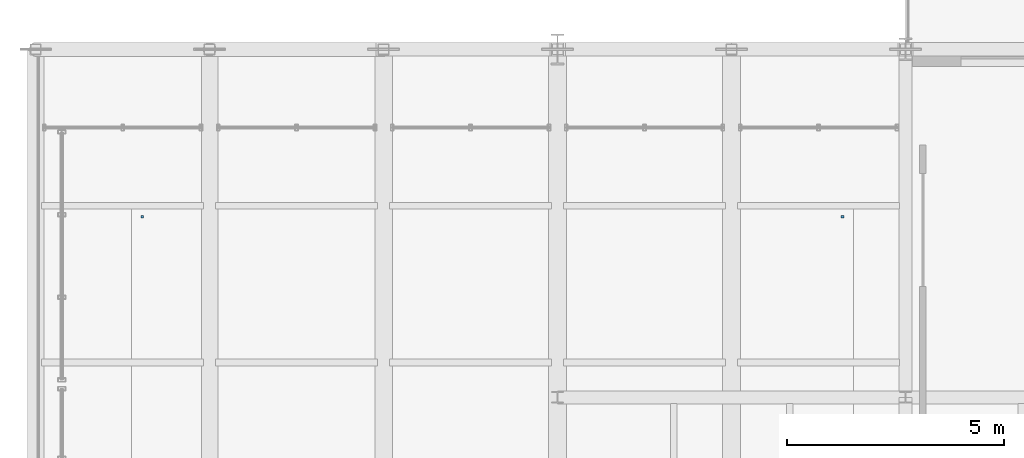
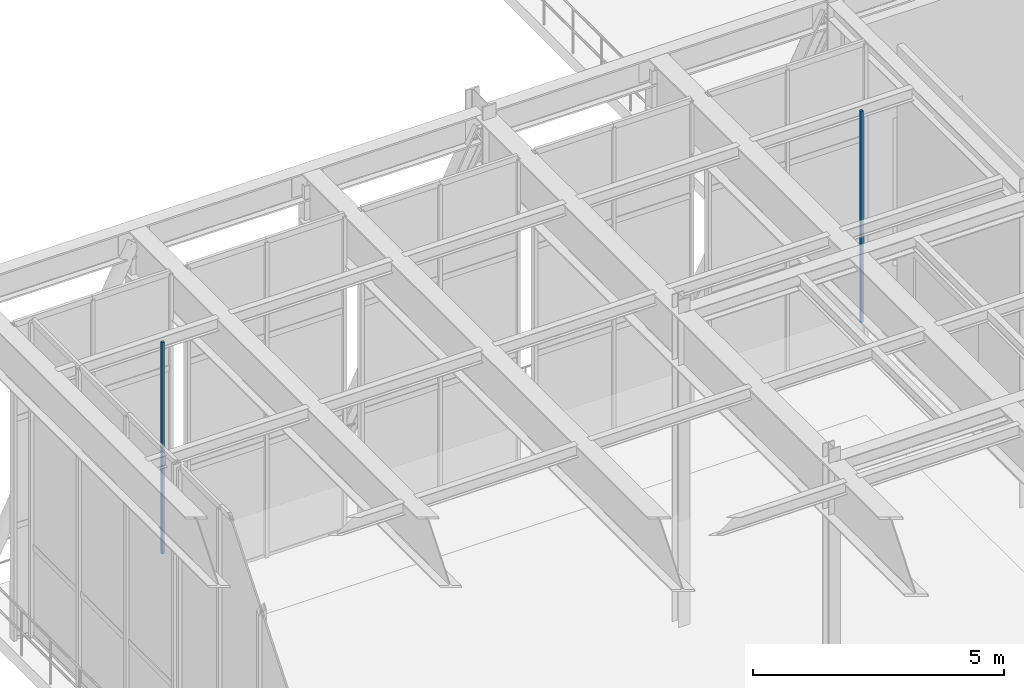
# One storey, part 103 of 138: 2 discrete accessories.
"""IFC4 building model written with IfcOpenShell, lengths in metres."""

import ifcopenshell
import ifcopenshell.guid

model = None  # the IFC model being written
_history = None  # IfcOwnerHistory: only IFC2X3 demands one
_inside = {}  # id of a spatial element -> (the spatial element, [elements in it])
_under = {}  # id of a project, library or spatial element -> (it, [spatial elements below it])
_declared = {}  # id of a project -> (the project, [libraries it declares])
_typed = {}  # id of a type object -> (the type object, [elements of that type])
_made_of = {}  # id of a material, layer set ... -> (it, [elements and type objects made of it])


def new_model(schema):
    """Start an empty IFC model of exactly this schema.

    Asked for "IFC4X3", IfcOpenShell would pick the latest addendum, in which some entities
    have other attributes; the version numbers below select the first issue.
    IFC2X3 requires an IfcOwnerHistory on every rooted entity: one is made here for all.
    """
    global model, _history
    if schema == "IFC4X3":
        model = ifcopenshell.file(schema_version=(4, 3, 0, 0))
    else:
        model = ifcopenshell.file(schema=schema)
    _inside.clear()
    _under.clear()
    _declared.clear()
    _typed.clear()
    _made_of.clear()
    _history = None
    if model.schema == "IFC2X3":
        org = make("IfcOrganization", Name="unknown")
        user = make(
            "IfcPersonAndOrganization",
            ThePerson=make("IfcPerson", FamilyName="unknown"),
            TheOrganization=org,
        )
        app = make(
            "IfcApplication",
            ApplicationDeveloper=org,
            Version="unknown",
            ApplicationFullName="unknown",
            ApplicationIdentifier="unknown",
        )
        _history = make(
            "IfcOwnerHistory",
            OwningUser=user,
            OwningApplication=app,
            ChangeAction="ADDED",
            CreationDate=0,
        )
    return model


def make(cls, **values):
    """One entity of the class cls with the attributes given. An attribute that is None is left unset."""
    return model.create_entity(
        cls, **{name: value for name, value in values.items() if value is not None}
    )


def rooted(cls, **values):
    """An entity with a GlobalId (a new one), such as an element, a storey or a relation."""
    return make(cls, GlobalId=ifcopenshell.guid.new(), OwnerHistory=_history, **values)


def si_unit(unit_type, name, prefix=None):
    """IfcSIUnit, for example si_unit("LENGTHUNIT", "METRE", prefix="MILLI")."""
    return make("IfcSIUnit", UnitType=unit_type, Prefix=prefix, Name=name)


def assignment(units):
    """IfcUnitAssignment: the units of a project."""
    return None if units is None else make("IfcUnitAssignment", Units=units)


def point(xyz):
    """IfcCartesianPoint."""
    return None if xyz is None else make("IfcCartesianPoint", Coordinates=xyz)


def direction(xyz):
    """IfcDirection."""
    return None if xyz is None else make("IfcDirection", DirectionRatios=xyz)


def frame(location, z_axis=None, x_axis=None):
    """IfcAxis2Placement3D, a coordinate frame: its origin and axes. An axis left out is left unset."""
    return make(
        "IfcAxis2Placement3D",
        Location=point(location),
        Axis=direction(z_axis),
        RefDirection=direction(x_axis),
    )


def frame_2d(location, x_axis=None):
    """IfcAxis2Placement2D, a coordinate frame in the plane: its origin and x axis."""
    return make(
        "IfcAxis2Placement2D", Location=point(location), RefDirection=direction(x_axis)
    )


def origin():
    """The frame at (0, 0, 0) with its axes left unset."""
    return frame((0.0, 0.0, 0.0))


def origin_2d():
    """The frame at (0, 0) in the plane with its x axis left unset."""
    return frame_2d((0.0, 0.0))


def place(relative_to, where):
    """IfcLocalPlacement: puts the frame where relative to a parent placement (None: the world)."""
    return make(
        "IfcLocalPlacement", PlacementRelTo=relative_to, RelativePlacement=where
    )


def context(
    kind, dimensions, precision=None, world=None, true_north=None, identifier=None
):
    """IfcGeometricRepresentationContext, for example the 3D "Model" context."""
    return make(
        "IfcGeometricRepresentationContext",
        ContextIdentifier=identifier,
        ContextType=kind,
        CoordinateSpaceDimension=dimensions,
        Precision=precision,
        WorldCoordinateSystem=world,
        TrueNorth=true_north,
    )


def subcontext(parent, identifier, kind, view, scale=None):
    """IfcGeometricRepresentationSubContext, for example "Body" below "Model"."""
    return make(
        "IfcGeometricRepresentationSubContext",
        ContextIdentifier=identifier,
        ContextType=kind,
        ParentContext=parent,
        TargetScale=scale,
        TargetView=view,
    )


def project(units=None, contexts=None):
    """IfcProject with its units and contexts."""
    return rooted(
        "IfcProject",
        Name="project",
        RepresentationContexts=contexts,
        UnitsInContext=assignment(units),
    )


def spatial(cls, under=None, at=None, **own):
    """A site, building, storey or space (cls), placed at a placement, below another one or the project."""
    s = rooted(cls, ObjectPlacement=at, **own)
    if under is not None:
        _under.setdefault(under.id(), (under, []))[1].append(s)
    return s


def profile(cls, at=None, kind="AREA", **sizes):
    """A parametric profile (cls). Its sizes go by their IFC names, for example OverallWidth=200.0."""
    return make(cls, ProfileType=kind, Position=at, **sizes)


def rectangle(**sizes):
    """IfcRectangleProfileDef."""
    return profile("IfcRectangleProfileDef", **sizes)


def extrude(swept, where, along, depth):
    """IfcExtrudedAreaSolid: the profile swept, set in the frame where, extruded along a direction by depth."""
    return make(
        "IfcExtrudedAreaSolid",
        SweptArea=swept,
        Position=where,
        ExtrudedDirection=direction(along),
        Depth=depth,
    )


def shape(context_of_items, identifier, shape_type, items):
    """IfcShapeRepresentation: the items that make up one representation, for example the "Body"."""
    return make(
        "IfcShapeRepresentation",
        ContextOfItems=context_of_items,
        RepresentationIdentifier=identifier,
        RepresentationType=shape_type,
        Items=items,
    )


def material(Name=None, Category=None):
    """IfcMaterial."""
    return make("IfcMaterial", Name=Name, Category=Category)


def made_of(thing, what):
    """Note that an element or type object is made of a material, layer set ...; save() writes the relation."""
    if what is not None:
        _made_of.setdefault(what.id(), (what, []))[1].append(thing)
    return thing


def type_object(cls, material=None, **own):
    """A type object (cls), such as IfcWallType, which elements share."""
    return made_of(rooted(cls, **own), material)


def element(
    cls,
    number,
    at=None,
    inside=None,
    cuts=None,
    type_object=None,
    material=None,
    context=None,
    identifier="Body",
    shape_type=None,
    held_by="IfcProductDefinitionShape",
    body=None,
    shapes=None,
    **own,
):
    """One element of the class cls, such as IfcWall. Its Tag is "e" and its number.

    at: its placement. inside: the storey or other place that contains it. cuts: it is an
    opening in that element (IfcRelVoidsElement). A single representation is given by context,
    identifier, shape_type and body (its items); several are given by shapes. held_by: the class
    of the entity that holds the representations. save() writes the other relations.
    """
    e = rooted(cls, Tag="e%d" % number, ObjectPlacement=at, **own)
    if body is not None:
        shapes = [shape(context, identifier, shape_type, body)]
    if shapes is not None:
        e.Representation = make(held_by, Representations=shapes)
    if inside is not None:
        _inside.setdefault(inside.id(), (inside, []))[1].append(e)
    if cuts is not None:
        rooted(
            "IfcRelVoidsElement", RelatingBuildingElement=cuts, RelatedOpeningElement=e
        )
    if type_object is not None:
        _typed.setdefault(type_object.id(), (type_object, []))[1].append(e)
    return made_of(e, material)


def aggregate(whole, parts):
    """IfcRelAggregates: a whole, such as a stair, and the parts it consists of."""
    return rooted("IfcRelAggregates", RelatingObject=whole, RelatedObjects=parts)


def save(model, path):
    """Write the relations noted so far, then the file.

    IfcRelAggregates (storeys below a building ...), IfcRelContainedInSpatialStructure (elements
    in a storey), IfcRelDefinesByType, IfcRelAssociatesMaterial and IfcRelDeclares: one each for
    every whole, place, type object, material and project.
    """
    for whole, parts in _under.values():
        aggregate(whole, parts)
    for where, things in _inside.values():
        rooted(
            "IfcRelContainedInSpatialStructure",
            RelatedElements=things,
            RelatingStructure=where,
        )
    for kind, things in _typed.values():
        rooted("IfcRelDefinesByType", RelatedObjects=things, RelatingType=kind)
    for what, things in _made_of.values():
        rooted("IfcRelAssociatesMaterial", RelatedObjects=things, RelatingMaterial=what)
    for by, libraries in _declared.values():
        rooted("IfcRelDeclares", RelatingContext=by, RelatedDefinitions=libraries)
    model.write(path)


model = new_model("IFC4")

# Units and contexts
model_context = context("Model", 3, precision=1e-05, world=origin(), true_north=direction((0.0, 1.0)))
body_context = subcontext(model_context, "Body", "Model", "MODEL_VIEW")
ifc_project = project(units=[si_unit("LENGTHUNIT", "METRE"), si_unit("AREAUNIT", "SQUARE_METRE"), si_unit("VOLUMEUNIT", "CUBIC_METRE"), si_unit("PLANEANGLEUNIT", "RADIAN"), si_unit("MASSUNIT", "GRAM", prefix="KILO")], contexts=[model_context])

# Site, building, storey
site_placement = place(None, origin())
site = spatial("IfcSite", under=ifc_project, at=site_placement, CompositionType="ELEMENT")
building_placement = place(site_placement, origin())
building = spatial("IfcBuilding", under=site, at=building_placement, Name="Sundkrona Museum", CompositionType="ELEMENT")
storey_placement = place(building_placement, frame((0.0, 0.0, 9.60009765625)))
storey = spatial("IfcBuildingStorey", under=building, at=storey_placement, Name="L02", CompositionType="ELEMENT", Elevation=9.60009765625)

# Discrete accessories
ifc_material = material(Name="Stainless Steel EN 1.4404 Cleat", Category="steel")
discrete_accessory_type = type_object("IfcDiscreteAccessoryType", Name="BRK-FIN-01", PredefinedType="BRACKET", material=ifc_material)
for number, where, z_axis, x_axis, name in (
    (1, (22.550048828125, 50.14990234375, 2.5498046875), (0.0, 0.0, 1.0), (1.0, 0.0, 0.0), "L02 Sculpture Cantilever Gallery Ceiling Hanger 3"),
    (2, (6.449951171875, 50.14990234375, 2.5498046875), (0.0, 0.0, 1.0), (1.0, 0.0, 0.0), "L02 Sculpture Cantilever Gallery Ceiling Hanger 4"),
):
    element("IfcDiscreteAccessory", number, at=place(storey_placement, frame(where, z_axis=z_axis, x_axis=x_axis)), inside=storey, type_object=discrete_accessory_type, Name=name, PredefinedType="BRACKET", context=body_context, shape_type="SweptSolid", body=[
        extrude(rectangle(XDim=0.06005859375, YDim=0.06005859375, at=origin_2d()), origin(), (0.0, 0.0, 1.0), 5.155029296875),
    ])

save(model, "model.ifc")
